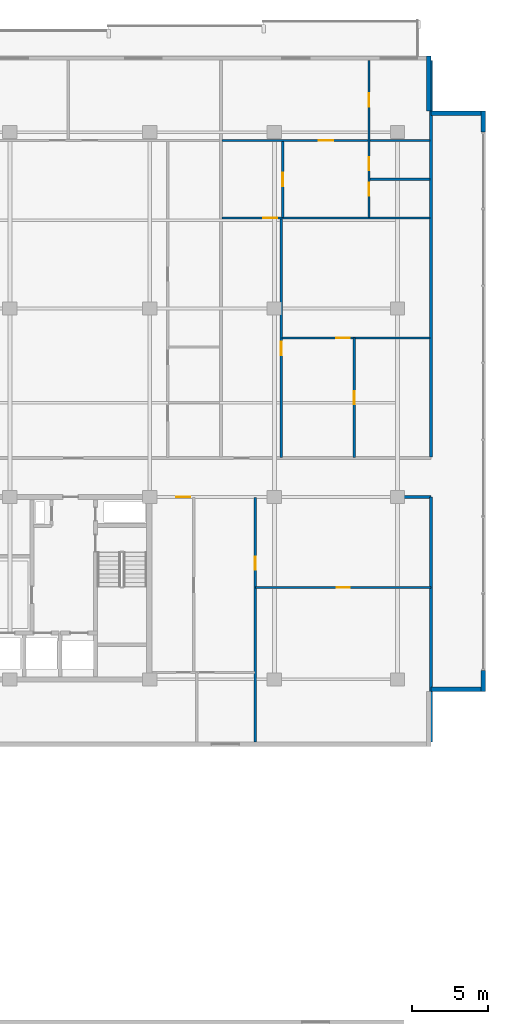
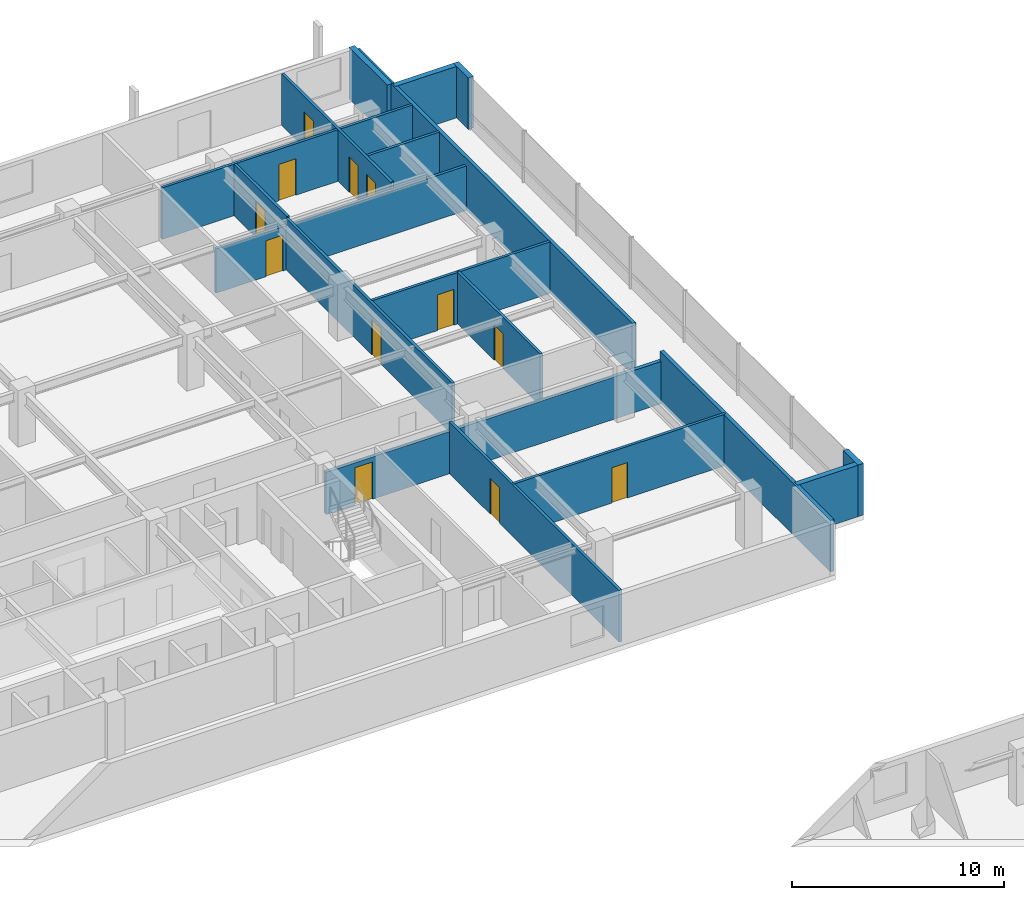
# One storey, part 32 of 38: 18 walls, 12 doors, 12 openings.
"""IFC4 building model written with IfcOpenShell, lengths in metres."""

from ifc_helpers import new_model, si_unit, direction, frame, frame_2d, origin, place, context, subcontext, project, spatial, rectangle, extrude, material, layer, layer_set, type_object, element, fill, save


model = new_model("IFC4")

# Units and contexts
model_context = context("Model", 3, precision=1e-05, world=origin(), true_north=direction((0.0, 1.0)))
body_context = subcontext(model_context, "Body", "Model", "MODEL_VIEW")
ifc_project = project(units=[si_unit("LENGTHUNIT", "METRE"), si_unit("AREAUNIT", "SQUARE_METRE"), si_unit("VOLUMEUNIT", "CUBIC_METRE"), si_unit("PLANEANGLEUNIT", "RADIAN"), si_unit("MASSUNIT", "GRAM", prefix="KILO")], contexts=[model_context])

# Site, building, storey
site_placement = place(None, origin())
site = spatial("IfcSite", under=ifc_project, at=site_placement, CompositionType="ELEMENT")
building_placement = place(site_placement, origin())
building = spatial("IfcBuilding", under=site, at=building_placement, Name="Korimba Cascade Residences", CompositionType="ELEMENT")
storey_placement = place(building_placement, frame((0.0, 0.0, 93.800048828125)))
storey = spatial("IfcBuildingStorey", under=building, at=storey_placement, Name="L26", CompositionType="ELEMENT", Elevation=93.800048828125)

# Walls
ifc_material_1 = material(Name="Precast concrete C40/50", Category="concrete")
ifc_layer_1 = layer(ifc_material_1, 0.300048828125)
ifc_layer_set_1 = layer_set([ifc_layer_1], Name="Precast concrete C40/50")
wall_type_1 = type_object("IfcWallType", Name="EW-STONE-300", PredefinedType="STANDARD", material=ifc_layer_set_1)
wall_1_placement = place(storey_placement, frame((130.60009765625, 54.550048828125, 0.0), z_axis=(0.0, 0.0, 1.0), x_axis=(1.0, 0.0, 0.0)))
element("IfcWall", 1, at=wall_1_placement, inside=storey, type_object=wall_type_1, Name="L26 T1 Perimeter Stone Wall E02", PredefinedType="STANDARD", context=body_context, shape_type="SweptSolid", body=[
    extrude(rectangle(XDim=3.599853515625, YDim=0.300048828125, at=frame_2d((1.7998046875, 0.0))), origin(), (0.0, 0.0, 1.0), 2.969970703125),
])
for number, where, z_axis, x_axis, name in (
    (2, (134.050048828125, 54.39990234375, 0.0), (0.0, 0.0, 1.0), (0.0, 1.0, 0.0), "L26 T1 Sky Pier 3A"),
    (3, (134.050048828125, 91.199951171875, 0.0), (0.0, 0.0, 1.0), (0.0, 1.0, 0.0), "L26 T1 Sky Pier 3B"),
):
    element("IfcWall", number, at=place(storey_placement, frame(where, z_axis=z_axis, x_axis=x_axis)), inside=storey, type_object=wall_type_1, Name=name, PredefinedType="STANDARD", context=body_context, shape_type="SweptSolid", body=[
        extrude(rectangle(XDim=1.400146484375, YDim=0.300048828125, at=frame_2d((0.7001953125, 0.0))), origin(), (0.0, 0.0, 1.0), 2.969970703125),
    ])
for number, where, z_axis, x_axis, name in (
    (4, (134.199951171875, 92.449951171875, 0.0), (0.0, 0.0, 1.0), (-1.0, 0.0, 0.0), "L26 T1 Perimeter Stone Wall E04"),
    (5, (130.449951171875, 92.60009765625, 0.0), (0.0, 0.0, 1.0), (0.0, 1.0, 0.0), "L26 T1 Perimeter Stone Wall E05"),
):
    element("IfcWall", number, at=place(storey_placement, frame(where, z_axis=z_axis, x_axis=x_axis)), inside=storey, type_object=wall_type_1, Name=name, PredefinedType="STANDARD", context=body_context, shape_type="SweptSolid", body=[
        extrude(rectangle(XDim=3.599853515625, YDim=0.300048828125, at=frame_2d((1.7998046875, 0.0))), origin(), (0.0, 0.0, 1.0), 2.969970703125),
    ])
ifc_layer_2 = layer(ifc_material_1, 0.199951171875)
ifc_layer_set_2 = layer_set([ifc_layer_2], Name="Precast concrete C40/50")
wall_type_2 = type_object("IfcWallType", Name="WAL-IT-200", PredefinedType="PARTITIONING", material=ifc_layer_set_2)
wall_2_placement = place(storey_placement, frame((130.60009765625, 51.10009765625, 0.0), z_axis=(0.0, 0.0, 1.0), x_axis=(0.0, 1.0, 0.0)))
element("IfcWall", 6, at=wall_2_placement, inside=storey, type_object=wall_type_2, Name="L26 Partition Wall WAL-L26-T1-FE-WR", PredefinedType="PARTITIONING", context=body_context, shape_type="SweptSolid", body=[
    extrude(rectangle(XDim=16.099853515625, YDim=0.199951171875, at=frame_2d((8.0498046875, 0.0))), origin(), (0.0, 0.0, 1.0), 2.969970703125),
])

# Wall, opening, door
wall_3_placement = place(storey_placement, frame((112.25, 67.199951171875, 0.0), z_axis=(0.0, 0.0, 1.0), x_axis=(1.0, 0.0, 0.0)))
wall_3 = element("IfcWall", 7, at=wall_3_placement, inside=storey, type_object=wall_type_2, Name="L26 Partition Wall WAL-L26-T1-FE-N", PredefinedType="PARTITIONING", context=body_context, shape_type="SweptSolid", body=[
    extrude(rectangle(XDim=18.35009765625, YDim=0.199951171875, at=frame_2d((9.175048828125, 0.0))), origin(), (0.0, 0.0, 1.0), 2.433349609375),
])
opening_1_placement = place(wall_3_placement, frame((1.580078125, 0.0, 0.0)))
opening_1 = element("IfcOpeningElement", 8, at=opening_1_placement, cuts=wall_3, Name="Opening D-UN1", PredefinedType="OPENING", context=body_context, shape_type="SweptSolid", body=[
    extrude(rectangle(XDim=0.949951171875, YDim=2.14990234375, at=frame_2d((0.47509765625, 1.074951171875))), frame((0.0, 0.10986328125, 0.0), z_axis=(0.0, -1.0, 0.0), x_axis=(1.0, 0.0, 0.0)), (0.0, 0.0, 1.0), 0.219970703125),
])
ifc_material_2 = material(Name="Fire-Rated Hardwood Apartment Entrance Door", Category="wood")
door_type_1 = type_object("IfcDoorType", Name="DR-FD60-950", OperationType="NOTDEFINED", PredefinedType="DOOR", material=ifc_material_2)
door_1_placement = place(opening_1_placement, origin())
door_1 = element("IfcDoor", 9, at=door_1_placement, inside=storey, type_object=door_type_1, Name="L26-T1-FE Entrance Door", OperationType="SINGLE_SWING_LEFT", OverallHeight=2.14990234375, OverallWidth=0.949951171875, PredefinedType="DOOR", context=body_context, shape_type="SweptSolid", body=[
    extrude(rectangle(XDim=0.949951171875, YDim=2.14990234375, at=frame_2d((0.47509765625, 1.074951171875))), frame((0.0, 0.02490234375, 0.0), z_axis=(0.0, -1.0, 0.0), x_axis=(1.0, 0.0, 0.0)), (0.0, 0.0, 1.0), 0.050048828125),
])
fill(opening_1, door_1)

# Wall
wall_4_placement = place(storey_placement, frame((130.60009765625, 69.830078125, 0.0), z_axis=(0.0, 0.0, 1.0), x_axis=(0.0, 1.0, 0.0)))
element("IfcWall", 10, at=wall_4_placement, inside=storey, type_object=wall_type_2, Name="L26 Partition Wall WAL-L26-T1-BNDWR", PredefinedType="PARTITIONING", context=body_context, shape_type="SweptSolid", body=[
    extrude(rectangle(XDim=26.06982421875, YDim=0.199951171875, at=frame_2d((13.034912109375, 0.0))), origin(), (0.0, 0.0, 1.0), 2.969970703125),
])

# Wall, opening, door
ifc_material_3 = material(Name="Insulated Acoustic Stud Partition", Category="gypsum")
ifc_layer_3 = layer(ifc_material_3, 0.14990234375)
ifc_layer_set_3 = layer_set([ifc_layer_3], Name="Insulated Acoustic Stud Partition")
wall_type_3 = type_object("IfcWallType", Name="WAL-PART-150", PredefinedType="PARTITIONING", material=ifc_layer_set_3)
wall_5_placement = place(storey_placement, frame((119.050048828125, 61.25, 0.0), z_axis=(0.0, 0.0, 1.0), x_axis=(1.0, 0.0, 0.0)))
wall_5 = element("IfcWall", 11, at=wall_5_placement, inside=storey, type_object=wall_type_3, Name="L26 Partition Wall WAL-L26-T1-FE-STH", PredefinedType="PARTITIONING", context=body_context, shape_type="SweptSolid", body=[
    extrude(rectangle(XDim=11.550048828125, YDim=0.14990234375, at=frame_2d((5.77490234375, 0.0))), origin(), (0.0, 0.0, 1.0), 2.969970703125),
])
opening_2_placement = place(wall_5_placement, frame((5.35498046875, 0.0, 0.0)))
opening_2 = element("IfcOpeningElement", 12, at=opening_2_placement, cuts=wall_5, Name="Opening D-BT1", PredefinedType="OPENING", context=body_context, shape_type="SweptSolid", body=[
    extrude(rectangle(XDim=0.840087890625, YDim=2.0400390625, at=frame_2d((0.419921875, 1.02001953125))), frame((0.0, 0.0849609375, 0.0), z_axis=(0.0, -1.0, 0.0), x_axis=(1.0, 0.0, 0.0)), (0.0, 0.0, 1.0), 0.169921875),
])
ifc_material_4 = material(Name="Moisture-Resistant Bathroom Timber Door", Category="wood")
door_type_2 = type_object("IfcDoorType", Name="DR-INT-850", OperationType="NOTDEFINED", PredefinedType="DOOR", material=ifc_material_4)
door_2_placement = place(opening_2_placement, origin())
door_2 = element("IfcDoor", 13, at=door_2_placement, inside=storey, type_object=door_type_2, Name="L26-T1-FE Dressing Store Door", OperationType="SINGLE_SWING_RIGHT", OverallHeight=2.0400390625, OverallWidth=0.840087890625, PredefinedType="DOOR", context=body_context, shape_type="SweptSolid", body=[
    extrude(rectangle(XDim=0.840087890625, YDim=2.0400390625, at=frame_2d((0.419921875, 1.02001953125))), frame((0.0, 0.02490234375, 0.0), z_axis=(0.0, -1.0, 0.0), x_axis=(1.0, 0.0, 0.0)), (0.0, 0.0, 1.0), 0.050048828125),
])
fill(opening_2, door_2)

wall_6_placement = place(storey_placement, frame((119.050048828125, 51.10009765625, 0.0), z_axis=(0.0, 0.0, 1.0), x_axis=(0.0, 1.0, 0.0)))
wall_6 = element("IfcWall", 14, at=wall_6_placement, inside=storey, type_object=wall_type_3, Name="L26 Partition Wall WAL-L26-T1-FE-STV", PredefinedType="PARTITIONING", context=body_context, shape_type="SweptSolid", body=[
    extrude(rectangle(XDim=16.0498046875, YDim=0.14990234375, at=frame_2d((8.02490234375, 0.0))), origin(), (0.0, 0.0, 1.0), 2.969970703125),
])
opening_3_placement = place(wall_6_placement, frame((11.300048828125, 0.0, 0.0)))
opening_3 = element("IfcOpeningElement", 15, at=opening_3_placement, cuts=wall_6, Name="Opening D-IN2", PredefinedType="OPENING", context=body_context, shape_type="SweptSolid", body=[
    extrude(rectangle(XDim=0.8798828125, YDim=2.06005859375, at=frame_2d((0.43994140625, 1.030029296875))), frame((0.0, 0.0849609375, 0.0), z_axis=(0.0, -1.0, 0.0), x_axis=(1.0, 0.0, 0.0)), (0.0, 0.0, 1.0), 0.169921875),
])
ifc_material_5 = material(Name="Acoustic Timber Bedroom Door", Category="wood")
door_type_3 = type_object("IfcDoorType", Name="DR-INT-880", OperationType="NOTDEFINED", PredefinedType="DOOR", material=ifc_material_5)
door_3_placement = place(opening_3_placement, origin())
door_3 = element("IfcDoor", 16, at=door_3_placement, inside=storey, type_object=door_type_3, Name="L26-T1-FE Study Door", OperationType="SINGLE_SWING_LEFT", OverallHeight=2.06005859375, OverallWidth=0.8798828125, PredefinedType="DOOR", context=body_context, shape_type="SweptSolid", body=[
    extrude(rectangle(XDim=0.8798828125, YDim=2.06005859375, at=frame_2d((0.43994140625, 1.030029296875))), frame((0.0, 0.02490234375, 0.0), z_axis=(0.0, -1.0, 0.0), x_axis=(1.0, 0.0, 0.0)), (0.0, 0.0, 1.0), 0.050048828125),
])
fill(opening_3, door_3)

wall_7_placement = place(storey_placement, frame((125.54638671875, 69.81005859375, 0.0), z_axis=(0.0, 0.0, 1.0), x_axis=(0.0, 1.0, 0.0)))
wall_7 = element("IfcWall", 17, at=wall_7_placement, inside=storey, type_object=wall_type_3, Name="L26 Partition Wall WAL-L26-T1-U04-FMV", PredefinedType="PARTITIONING", context=body_context, shape_type="SweptSolid", body=[
    extrude(rectangle(XDim=7.849853515625, YDim=0.14990234375, at=frame_2d((3.9248046875, 0.0))), origin(), (0.0, 0.0, 1.0), 2.969970703125),
])
opening_4_placement = place(wall_7_placement, frame((3.5048828125, 0.0, 0.0)))
opening_4 = element("IfcOpeningElement", 18, at=opening_4_placement, cuts=wall_7, Name="Opening D-BT1", PredefinedType="OPENING", context=body_context, shape_type="SweptSolid", body=[
    extrude(rectangle(XDim=0.840087890625, YDim=2.0400390625, at=frame_2d((0.419921875, 1.02001953125))), frame((0.0, 0.0849609375, 0.0), z_axis=(0.0, -1.0, 0.0), x_axis=(1.0, 0.0, 0.0)), (0.0, 0.0, 1.0), 0.169921875),
])
door_4_placement = place(opening_4_placement, origin())
door_4 = element("IfcDoor", 19, at=door_4_placement, inside=storey, type_object=door_type_2, Name="L26-T1-U04 Wardrobe Door", OperationType="SINGLE_SWING_LEFT", OverallHeight=2.0400390625, OverallWidth=0.840087890625, PredefinedType="DOOR", context=body_context, shape_type="SweptSolid", body=[
    extrude(rectangle(XDim=0.840087890625, YDim=2.0400390625, at=frame_2d((0.419921875, 1.02001953125))), frame((0.0, 0.02490234375, 0.0), z_axis=(0.0, -1.0, 0.0), x_axis=(1.0, 0.0, 0.0)), (0.0, 0.0, 1.0), 0.050048828125),
])
fill(opening_4, door_4)

wall_8_placement = place(storey_placement, frame((120.812744140625, 77.659912109375, 0.0), z_axis=(0.0, 0.0, 1.0), x_axis=(1.0, 0.0, 0.0)))
wall_8 = element("IfcWall", 20, at=wall_8_placement, inside=storey, type_object=wall_type_3, Name="L26 Partition Wall WAL-L26-T1-U04-FMH", PredefinedType="PARTITIONING", context=body_context, shape_type="SweptSolid", body=[
    extrude(rectangle(XDim=9.707275390625, YDim=0.14990234375, at=frame_2d((4.853515625, 0.0))), origin(), (0.0, 0.0, 1.0), 2.969970703125),
])
opening_5_placement = place(wall_8_placement, frame((3.568115234375, 0.0, 0.0)))
opening_5 = element("IfcOpeningElement", 21, at=opening_5_placement, cuts=wall_8, Name="Opening D-IN2", PredefinedType="OPENING", context=body_context, shape_type="SweptSolid", body=[
    extrude(rectangle(XDim=0.8798828125, YDim=2.06005859375, at=frame_2d((0.43994140625, 1.030029296875))), frame((0.0, 0.0849609375, 0.0), z_axis=(0.0, -1.0, 0.0), x_axis=(1.0, 0.0, 0.0)), (0.0, 0.0, 1.0), 0.169921875),
])
door_5_placement = place(opening_5_placement, origin())
door_5 = element("IfcDoor", 22, at=door_5_placement, inside=storey, type_object=door_type_3, Name="L26-T1-U04 Library Salon Door", OperationType="SINGLE_SWING_RIGHT", OverallHeight=2.06005859375, OverallWidth=0.8798828125, PredefinedType="DOOR", context=body_context, shape_type="SweptSolid", body=[
    extrude(rectangle(XDim=0.8798828125, YDim=2.06005859375, at=frame_2d((0.43994140625, 1.030029296875))), frame((0.0, 0.02490234375, 0.0), z_axis=(0.0, -1.0, 0.0), x_axis=(1.0, 0.0, 0.0)), (0.0, 0.0, 1.0), 0.050048828125),
])
fill(opening_5, door_5)

wall_9_placement = place(storey_placement, frame((120.752685546875, 69.81005859375, 0.0), z_axis=(0.0, 0.0, 1.0), x_axis=(0.0, 1.0, 0.0)))
wall_9 = element("IfcWall", 23, at=wall_9_placement, inside=storey, type_object=wall_type_3, Name="L26 Partition Wall WAL-L26-T1-U04-FV", PredefinedType="PARTITIONING", context=body_context, shape_type="SweptSolid", body=[
    extrude(rectangle(XDim=15.699951171875, YDim=0.14990234375, at=frame_2d((7.85009765625, 0.0))), origin(), (0.0, 0.0, 1.0), 2.969970703125),
])
opening_6_placement = place(wall_9_placement, frame((6.719970703125, 0.0, 0.0)))
opening_6 = element("IfcOpeningElement", 24, at=opening_6_placement, cuts=wall_9, Name="Opening D-IN2", PredefinedType="OPENING", context=body_context, shape_type="SweptSolid", body=[
    extrude(rectangle(XDim=0.8798828125, YDim=2.06005859375, at=frame_2d((0.43994140625, 1.030029296875))), frame((0.0, 0.0849609375, 0.0), z_axis=(0.0, -1.0, 0.0), x_axis=(1.0, 0.0, 0.0)), (0.0, 0.0, 1.0), 0.169921875),
])
door_6_placement = place(opening_6_placement, origin())
door_6 = element("IfcDoor", 25, at=door_6_placement, inside=storey, type_object=door_type_3, Name="L26-T1-U04 Media Lounge Door", OperationType="SINGLE_SWING_LEFT", OverallHeight=2.06005859375, OverallWidth=0.8798828125, PredefinedType="DOOR", context=body_context, shape_type="SweptSolid", body=[
    extrude(rectangle(XDim=0.8798828125, YDim=2.06005859375, at=frame_2d((0.43994140625, 1.030029296875))), frame((0.0, 0.02490234375, 0.0), z_axis=(0.0, -1.0, 0.0), x_axis=(1.0, 0.0, 0.0)), (0.0, 0.0, 1.0), 0.050048828125),
])
fill(opening_6, door_6)

wall_10_placement = place(storey_placement, frame((120.852783203125, 85.590087890625, 0.0), z_axis=(0.0, 0.0, 1.0), x_axis=(0.0, 1.0, 0.0)))
wall_10 = element("IfcWall", 26, at=wall_10_placement, inside=storey, type_object=wall_type_3, Name="L26 Partition Wall WAL-L26-T1-U04-VDIN", PredefinedType="PARTITIONING", context=body_context, shape_type="SweptSolid", body=[
    extrude(rectangle(XDim=5.0, YDim=0.14990234375, at=frame_2d((2.5, 0.0))), origin(), (0.0, 0.0, 1.0), 2.969970703125),
])
opening_7_placement = place(wall_10_placement, frame((2.06005859375, 0.0, 0.0)))
opening_7 = element("IfcOpeningElement", 27, at=opening_7_placement, cuts=wall_10, Name="Opening D-IN2", PredefinedType="OPENING", context=body_context, shape_type="SweptSolid", body=[
    extrude(rectangle(XDim=0.8798828125, YDim=2.06005859375, at=frame_2d((0.43994140625, 1.030029296875))), frame((0.0, 0.0849609375, 0.0), z_axis=(0.0, -1.0, 0.0), x_axis=(1.0, 0.0, 0.0)), (0.0, 0.0, 1.0), 0.169921875),
])
door_7_placement = place(opening_7_placement, origin())
door_7 = element("IfcDoor", 28, at=door_7_placement, inside=storey, type_object=door_type_3, Name="L26-T1-U04 Dining Room Door", OperationType="SINGLE_SWING_RIGHT", OverallHeight=2.06005859375, OverallWidth=0.8798828125, PredefinedType="DOOR", context=body_context, shape_type="SweptSolid", body=[
    extrude(rectangle(XDim=0.8798828125, YDim=2.06005859375, at=frame_2d((0.43994140625, 1.030029296875))), frame((0.0, 0.02490234375, 0.0), z_axis=(0.0, -1.0, 0.0), x_axis=(1.0, 0.0, 0.0)), (0.0, 0.0, 1.0), 0.050048828125),
])
fill(opening_7, door_7)

# Wall
wall_11_placement = place(storey_placement, frame((126.580078125, 88.090087890625, 0.0), z_axis=(0.0, 0.0, 1.0), x_axis=(1.0, 0.0, 0.0)))
element("IfcWall", 29, at=wall_11_placement, inside=storey, type_object=wall_type_3, Name="L26 Partition Wall WAL-L26-T1-U04-BLDIV", PredefinedType="PARTITIONING", context=body_context, shape_type="SweptSolid", body=[
    extrude(rectangle(XDim=3.93994140625, YDim=0.14990234375, at=frame_2d((1.969970703125, 0.0))), origin(), (0.0, 0.0, 1.0), 2.969970703125),
])

# Wall, openings, doors
wall_12_placement = place(storey_placement, frame((126.52001953125, 85.590087890625, 0.0), z_axis=(0.0, 0.0, 1.0), x_axis=(0.0, 1.0, 0.0)))
wall_12 = element("IfcWall", 30, at=wall_12_placement, inside=storey, type_object=wall_type_3, Name="L26 Partition Wall WAL-L26-T1-U04-V1", PredefinedType="PARTITIONING", context=body_context, shape_type="SweptSolid", body=[
    extrude(rectangle(XDim=10.309814453125, YDim=0.14990234375, at=frame_2d((5.15478515625, 0.0))), origin(), (0.0, 0.0, 1.0), 2.969970703125),
])
opening_8_placement = place(wall_12_placement, frame((1.430419921875, 0.0, 0.0)))
opening_8 = element("IfcOpeningElement", 31, at=opening_8_placement, cuts=wall_12, Name="Opening D-BT1", PredefinedType="OPENING", context=body_context, shape_type="SweptSolid", body=[
    extrude(rectangle(XDim=0.840087890625, YDim=2.0400390625, at=frame_2d((0.419921875, 1.02001953125))), frame((0.0, 0.0849609375, 0.0), z_axis=(0.0, -1.0, 0.0), x_axis=(1.0, 0.0, 0.0)), (0.0, 0.0, 1.0), 0.169921875),
])
opening_9_placement = place(wall_12_placement, frame((3.1015625, 0.0, 0.0)))
opening_9 = element("IfcOpeningElement", 32, at=opening_9_placement, cuts=wall_12, Name="Opening D-BT1", PredefinedType="OPENING", context=body_context, shape_type="SweptSolid", body=[
    extrude(rectangle(XDim=0.840087890625, YDim=2.0400390625, at=frame_2d((0.419921875, 1.02001953125))), frame((0.0, 0.0849609375, 0.0), z_axis=(0.0, -1.0, 0.0), x_axis=(1.0, 0.0, 0.0)), (0.0, 0.0, 1.0), 0.169921875),
])
opening_10_placement = place(wall_12_placement, frame((7.28955078125, 0.0, 0.0)))
opening_10 = element("IfcOpeningElement", 33, at=opening_10_placement, cuts=wall_12, Name="Opening D-IN2", PredefinedType="OPENING", context=body_context, shape_type="SweptSolid", body=[
    extrude(rectangle(XDim=0.8798828125, YDim=2.06005859375, at=frame_2d((0.43994140625, 1.030029296875))), frame((0.0, 0.0849609375, 0.0), z_axis=(0.0, -1.0, 0.0), x_axis=(1.0, 0.0, 0.0)), (0.0, 0.0, 1.0), 0.169921875),
])
door_8_placement = place(opening_8_placement, origin())
door_8 = element("IfcDoor", 34, at=door_8_placement, inside=storey, type_object=door_type_2, Name="L26-T1-U04 Bathroom Door", OperationType="SINGLE_SWING_LEFT", OverallHeight=2.0400390625, OverallWidth=0.840087890625, PredefinedType="DOOR", context=body_context, shape_type="SweptSolid", body=[
    extrude(rectangle(XDim=0.840087890625, YDim=2.0400390625, at=frame_2d((0.419921875, 1.02001953125))), frame((0.0, 0.02490234375, 0.0), z_axis=(0.0, -1.0, 0.0), x_axis=(1.0, 0.0, 0.0)), (0.0, 0.0, 1.0), 0.050048828125),
])
fill(opening_8, door_8)
door_9_placement = place(opening_9_placement, origin())
door_9 = element("IfcDoor", 35, at=door_9_placement, inside=storey, type_object=door_type_2, Name="L26-T1-U04 Laundry Door", OperationType="SINGLE_SWING_RIGHT", OverallHeight=2.0400390625, OverallWidth=0.840087890625, PredefinedType="DOOR", context=body_context, shape_type="SweptSolid", body=[
    extrude(rectangle(XDim=0.840087890625, YDim=2.0400390625, at=frame_2d((0.419921875, 1.02001953125))), frame((0.0, 0.02490234375, 0.0), z_axis=(0.0, -1.0, 0.0), x_axis=(1.0, 0.0, 0.0)), (0.0, 0.0, 1.0), 0.050048828125),
])
fill(opening_9, door_9)
door_10_placement = place(opening_10_placement, origin())
door_10 = element("IfcDoor", 36, at=door_10_placement, inside=storey, type_object=door_type_3, Name="L26-T1-U04 Bedroom 1 Door", OperationType="SINGLE_SWING_LEFT", OverallHeight=2.06005859375, OverallWidth=0.8798828125, PredefinedType="DOOR", context=body_context, shape_type="SweptSolid", body=[
    extrude(rectangle(XDim=0.8798828125, YDim=2.06005859375, at=frame_2d((0.43994140625, 1.030029296875))), frame((0.0, 0.02490234375, 0.0), z_axis=(0.0, -1.0, 0.0), x_axis=(1.0, 0.0, 0.0)), (0.0, 0.0, 1.0), 0.050048828125),
])
fill(opening_10, door_10)

# Wall, opening, door
wall_13_placement = place(storey_placement, frame((116.86279296875, 85.550048828125, 0.0), z_axis=(0.0, 0.0, 1.0), x_axis=(1.0, 0.0, 0.0)))
wall_13 = element("IfcWall", 37, at=wall_13_placement, inside=storey, type_object=wall_type_3, Name="L26 Partition Wall WAL-L26-T1-U04-MW", PredefinedType="PARTITIONING", context=body_context, shape_type="SweptSolid", body=[
    extrude(rectangle(XDim=13.6572265625, YDim=0.14990234375, at=frame_2d((6.82861328125, 0.0))), origin(), (0.0, 0.0, 1.0), 2.560546875),
])
opening_11_placement = place(wall_13_placement, frame((2.719970703125, 0.0, 0.0)))
opening_11 = element("IfcOpeningElement", 38, at=opening_11_placement, cuts=wall_13, Name="Opening D-IN1", PredefinedType="OPENING", context=body_context, shape_type="SweptSolid", body=[
    extrude(rectangle(XDim=0.919921875, YDim=2.080078125, at=frame_2d((0.4599609375, 1.0400390625))), frame((0.0, 0.0849609375, 0.0), z_axis=(0.0, -1.0, 0.0), x_axis=(1.0, 0.0, 0.0)), (0.0, 0.0, 1.0), 0.169921875),
])
ifc_material_6 = material(Name="Acoustic Timber Living Door", Category="wood")
door_type_4 = type_object("IfcDoorType", Name="DR-INT-920", OperationType="NOTDEFINED", PredefinedType="DOOR", material=ifc_material_6)
door_11_placement = place(opening_11_placement, origin())
door_11 = element("IfcDoor", 39, at=door_11_placement, inside=storey, type_object=door_type_4, Name="L26-T1-U04 Kitchen Archway Door", OperationType="SINGLE_SWING_RIGHT", OverallHeight=2.080078125, OverallWidth=0.919921875, PredefinedType="DOOR", context=body_context, shape_type="SweptSolid", body=[
    extrude(rectangle(XDim=0.919921875, YDim=2.080078125, at=frame_2d((0.4599609375, 1.0400390625))), frame((0.0, 0.02490234375, 0.0), z_axis=(0.0, -1.0, 0.0), x_axis=(1.0, 0.0, 0.0)), (0.0, 0.0, 1.0), 0.050048828125),
])
fill(opening_11, door_11)

wall_14_placement = place(storey_placement, frame((116.86279296875, 90.64990234375, 0.0), z_axis=(0.0, 0.0, 1.0), x_axis=(1.0, 0.0, 0.0)))
wall_14 = element("IfcWall", 40, at=wall_14_placement, inside=storey, type_object=wall_type_3, Name="L26 Partition Wall WAL-L26-T1-U04-HZ", PredefinedType="PARTITIONING", context=body_context, shape_type="SweptSolid", body=[
    extrude(rectangle(XDim=13.6572265625, YDim=0.14990234375, at=frame_2d((6.82861328125, 0.0))), origin(), (0.0, 0.0, 1.0), 2.969970703125),
])
opening_12_placement = place(wall_14_placement, frame((6.358642578125, 0.0, 0.0)))
opening_12 = element("IfcOpeningElement", 41, at=opening_12_placement, cuts=wall_14, Name="Opening D-IN0", PredefinedType="OPENING", context=body_context, shape_type="SweptSolid", body=[
    extrude(rectangle(XDim=0.93994140625, YDim=2.10009765625, at=frame_2d((0.469970703125, 1.050048828125))), frame((0.0, 0.0849609375, 0.0), z_axis=(0.0, -1.0, 0.0), x_axis=(1.0, 0.0, 0.0)), (0.0, 0.0, 1.0), 0.169921875),
])
ifc_material_7 = material(Name="Acoustic Timber Living Archway Door", Category="wood")
door_type_5 = type_object("IfcDoorType", Name="DR-INT-950", OperationType="NOTDEFINED", PredefinedType="DOOR", material=ifc_material_7)
door_12_placement = place(opening_12_placement, origin())
door_12 = element("IfcDoor", 42, at=door_12_placement, inside=storey, type_object=door_type_5, Name="L26-T1-U04 Living Archway Door", OperationType="SINGLE_SWING_LEFT", OverallHeight=2.10009765625, OverallWidth=0.93994140625, PredefinedType="DOOR", context=body_context, shape_type="SweptSolid", body=[
    extrude(rectangle(XDim=0.93994140625, YDim=2.10009765625, at=frame_2d((0.469970703125, 1.050048828125))), frame((0.0, 0.02490234375, 0.0), z_axis=(0.0, -1.0, 0.0), x_axis=(1.0, 0.0, 0.0)), (0.0, 0.0, 1.0), 0.050048828125),
])
fill(opening_12, door_12)

save(model, "model.ifc")
